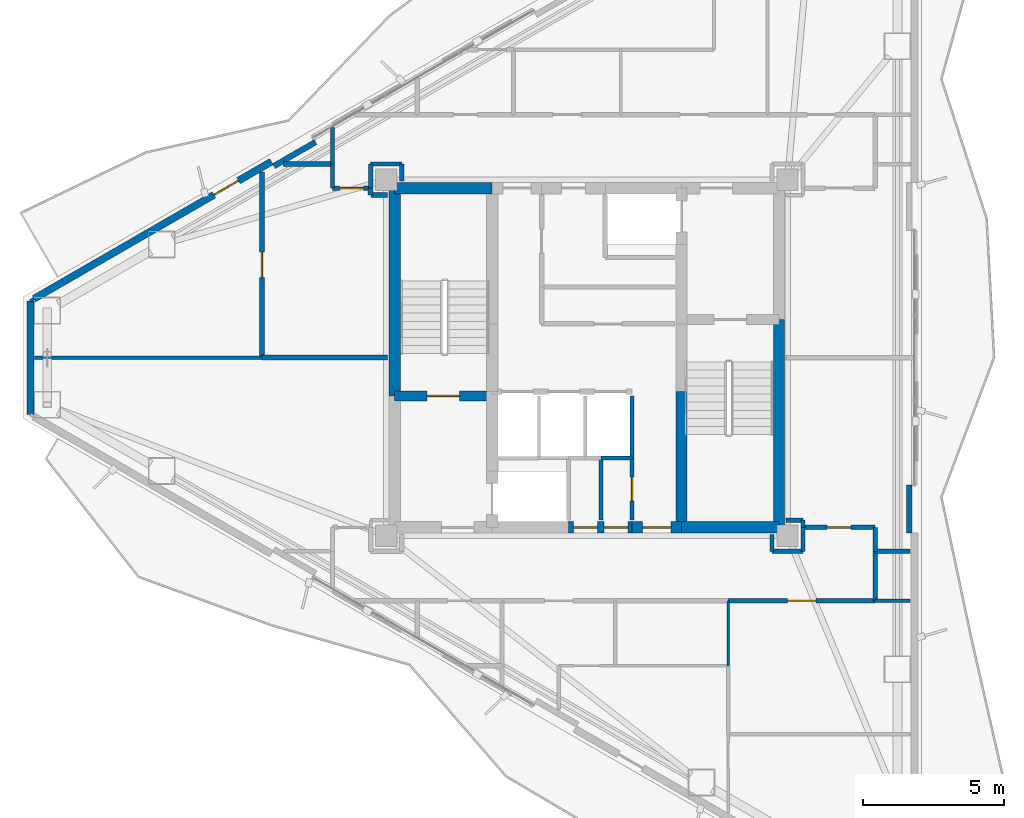
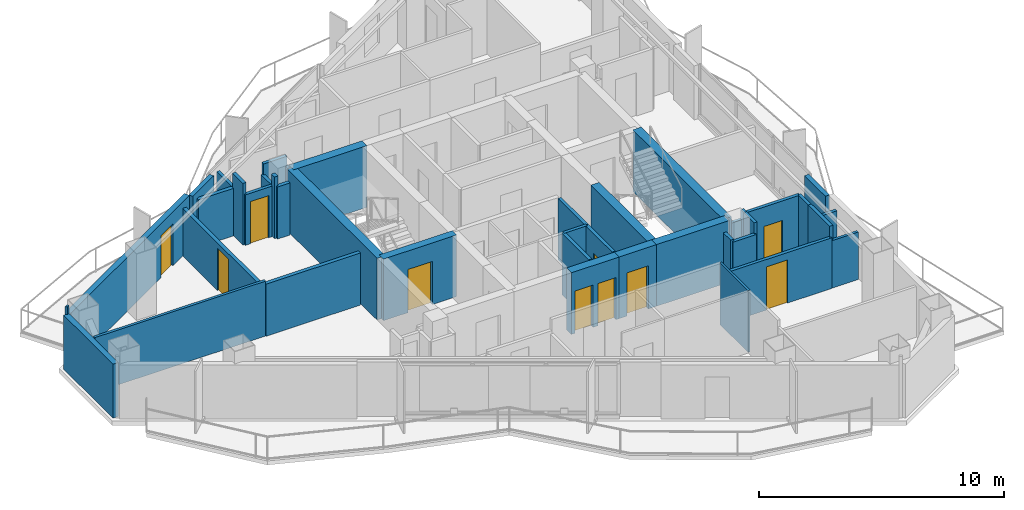
# One storey, part 17 of 21: 41 walls, 10 doors, 10 openings.
"""IFC4 building model written with IfcOpenShell, lengths in metres."""

from ifc_helpers import new_model, si_unit, direction, frame, frame_2d, origin, place, context, subcontext, project, spatial, rectangle, extrude, material, layer, layer_set, type_object, element, fill, save


model = new_model("IFC4")

# Units and contexts
model_context = context("Model", 3, precision=1e-05, world=origin(), true_north=direction((0.0, 1.0)))
body_context = subcontext(model_context, "Body", "Model", "MODEL_VIEW")
ifc_project = project(units=[si_unit("LENGTHUNIT", "METRE"), si_unit("AREAUNIT", "SQUARE_METRE"), si_unit("VOLUMEUNIT", "CUBIC_METRE"), si_unit("PLANEANGLEUNIT", "RADIAN"), si_unit("MASSUNIT", "GRAM", prefix="KILO")], contexts=[model_context])

# Site, building, storey
site_placement = place(None, origin())
site = spatial("IfcSite", under=ifc_project, at=site_placement, CompositionType="ELEMENT")
building_placement = place(site_placement, origin())
building = spatial("IfcBuilding", under=site, at=building_placement, Name="Mersakhor Tower and Convention Hall", CompositionType="ELEMENT")
storey_placement = place(building_placement, frame((0.0, 0.0, 178.800048828125)))
storey = spatial("IfcBuildingStorey", under=building, at=storey_placement, Name="L49", CompositionType="ELEMENT", Elevation=178.800048828125)

# Wall
ifc_material_1 = material(Name="Precast concrete C40/50", Category="concrete")
ifc_layer_1 = layer(ifc_material_1, 0.25)
ifc_layer_set_1 = layer_set([ifc_layer_1], Name="Precast concrete C40/50")
wall_type_1 = type_object("IfcWallType", Name="WL-EXT-250", PredefinedType="SOLIDWALL", material=ifc_layer_set_1)
wall_1_placement = place(storey_placement, frame((9.3076171875, 24.73828125, 0.0), z_axis=(0.0, 0.0, 1.0), x_axis=(0.0, 1.0, 0.0)))
element("IfcWall", 1, at=wall_1_placement, inside=storey, type_object=wall_type_1, Name="L49 Chamfer Braced Spandrel Wall C3", PredefinedType="SOLIDWALL", context=body_context, shape_type="SweptSolid", body=[
    extrude(rectangle(XDim=4.0234375, YDim=0.25, at=frame_2d((2.01171875, 0.0))), origin(), (0.0, 0.0, 1.0), 2.68994140625),
])

# Wall, opening, door
wall_2_placement = place(storey_placement, frame((9.4375, 28.836669921875, 0.0), z_axis=(0.0, 0.0, 1.0), x_axis=(0.866027133173, 0.499997004599, 0.0)))
wall_2 = element("IfcWall", 2, at=wall_2_placement, inside=storey, type_object=wall_type_1, Name="L49 Exterior Facade Wall F1-B1", PredefinedType="SOLIDWALL", context=body_context, shape_type="SweptSolid", body=[
    extrude(rectangle(XDim=9.69873046875, YDim=0.25, at=frame_2d((4.849365234375, 0.0))), origin(), (0.0, 0.0, 1.0), 2.68994140625),
])
opening_1_placement = place(wall_2_placement, frame((7.35205078125, 0.0, 0.0)))
opening_1 = element("IfcOpeningElement", 3, at=opening_1_placement, cuts=wall_2, Name="Opening BD-01", PredefinedType="OPENING", context=body_context, shape_type="SweptSolid", body=[
    extrude(rectangle(XDim=1.0, YDim=2.10009765625, at=frame_2d((0.5, 1.050048828125))), frame((0.0, 0.135009765625, 0.0), z_axis=(0.0, -1.0, 0.0), x_axis=(1.0, 0.0, 0.0)), (0.0, 0.0, 1.0), 0.27001953125),
])
ifc_material_2 = material(Name="Thermally broken dark aluminium and safety glass", Category="aluminium")
door_type_1 = type_object("IfcDoorType", Name="DR-BAL-100x210", OperationType="NOTDEFINED", PredefinedType="DOOR", material=ifc_material_2)
door_1_placement = place(opening_1_placement, origin())
door_1 = element("IfcDoor", 4, at=door_1_placement, inside=storey, type_object=door_type_1, Name="L49 Balcony Terrace Door F1-B1", OperationType="SINGLE_SWING_LEFT", OverallHeight=2.10009765625, OverallWidth=1.0, PredefinedType="DOOR", context=body_context, shape_type="SweptSolid", body=[
    extrude(rectangle(XDim=1.0, YDim=2.10009765625, at=frame_2d((0.5, 1.050048828125))), frame((0.0, 0.02490234375, 0.0), z_axis=(0.0, -1.0, 0.0), x_axis=(1.0, 0.0, 0.0)), (0.0, 0.0, 1.0), 0.050048828125),
])
fill(opening_1, door_1)

# Walls
ifc_material_3 = material(Name="Precast concrete C40/50", Category="concrete")
ifc_layer_2 = layer(ifc_material_3, 0.199951171875)
ifc_layer_set_2 = layer_set([ifc_layer_2], Name="Precast concrete C40/50")
wall_type_2 = type_object("IfcWallType", Name="WL-PAR-200", PredefinedType="PARAPET", material=ifc_layer_set_2)
for number, where, z_axis, x_axis, name in (
    (5, (17.927001953125, 33.5302734375, 0.0), (0.0, 0.0, 1.0), (0.86605165483, 0.499954529098, 0.0), "L49 Column Pier Cladding Wall F1-C1"),
    (6, (40.408447265625, 22.25048828125, 0.0), (0.0, 0.0, 1.0), (0.0, -1.0, 0.0), "L49 Column Pier Cladding Wall F2-C2"),
):
    element("IfcWall", number, at=place(storey_placement, frame(where, z_axis=z_axis, x_axis=x_axis)), inside=storey, type_object=wall_type_2, Name=name, PredefinedType="PARAPET", context=body_context, shape_type="SweptSolid", body=[
        extrude(rectangle(XDim=1.699951171875, YDim=0.199951171875, at=frame_2d((0.85009765625, 0.0))), origin(), (0.0, 0.0, 1.0), 2.68994140625),
    ])
ifc_material_4 = material(Name="Moisture-resistant acoustic drywall studwork", Category="other")
ifc_layer_3 = layer(ifc_material_4, 0.175048828125)
ifc_layer_set_3 = layer_set([ifc_layer_3], Name="Moisture-resistant acoustic drywall studwork")
wall_type_3 = type_object("IfcWallType", Name="WL-PLM-175", PredefinedType="PLUMBINGWALL", material=ifc_layer_set_3)
wall_3_placement = place(storey_placement, frame((21.35009765625, 32.75, 0.0), z_axis=(0.0, 0.0, 1.0), x_axis=(0.0, -1.0, 0.0)))
element("IfcWall", 7, at=wall_3_placement, inside=storey, type_object=wall_type_3, Name="L49 Interior Partition Wall P-050", PredefinedType="PLUMBINGWALL", context=body_context, shape_type="SweptSolid", body=[
    extrude(rectangle(XDim=0.25, YDim=0.175048828125, at=frame_2d((0.125, 0.0))), origin(), (0.0, 0.0, 1.0), 3.070068359375),
])
wall_4_placement = place(storey_placement, frame((21.364990234375, 32.5, 0.0), z_axis=(0.0, 0.0, 1.0), x_axis=(1.0, 0.0, 0.0)))
element("IfcWall", 8, at=wall_4_placement, inside=storey, type_object=wall_type_3, Name="L49 Interior Partition Wall P-051", PredefinedType="PLUMBINGWALL", context=body_context, shape_type="SweptSolid", body=[
    extrude(rectangle(XDim=0.5849609375, YDim=0.175048828125, at=frame_2d((0.29248046875, 0.0))), origin(), (0.0, 0.0, 1.0), 2.594970703125),
])
wall_5_placement = place(storey_placement, frame((21.949951171875, 26.75, 0.0), z_axis=(0.0, 0.0, 1.0), x_axis=(-1.0, 0.0, 0.0)))
element("IfcWall", 9, at=wall_5_placement, inside=storey, type_object=wall_type_3, Name="L49 Interior Partition Wall P-052", PredefinedType="PLUMBINGWALL", context=body_context, shape_type="SweptSolid", body=[
    extrude(rectangle(XDim=4.449951171875, YDim=0.175048828125, at=frame_2d((2.22509765625, 0.0))), origin(), (0.0, 0.0, 1.0), 2.594970703125),
])

# Wall, opening, door
wall_6_placement = place(storey_placement, frame((17.5, 26.75, 0.0), z_axis=(0.0, 0.0, 1.0), x_axis=(0.0, 1.0, 0.0)))
wall_6 = element("IfcWall", 10, at=wall_6_placement, inside=storey, type_object=wall_type_3, Name="L49 Interior Partition Wall P-053", PredefinedType="PLUMBINGWALL", context=body_context, shape_type="SweptSolid", body=[
    extrude(rectangle(XDim=6.569580078125, YDim=0.175048828125, at=frame_2d((3.28466796875, 0.0))), origin(), (0.0, 0.0, 1.0), 2.364990234375),
])
opening_2_placement = place(wall_6_placement, frame((2.834716796875, 0.0, 0.0)))
opening_2 = element("IfcOpeningElement", 11, at=opening_2_placement, cuts=wall_6, Name="Opening WD-01", PredefinedType="OPENING", context=body_context, shape_type="SweptSolid", body=[
    extrude(rectangle(XDim=0.89990234375, YDim=2.10009765625, at=frame_2d((0.449951171875, 1.050048828125))), frame((0.0, 0.097412109375, 0.0), z_axis=(0.0, -1.0, 0.0), x_axis=(1.0, 0.0, 0.0)), (0.0, 0.0, 1.0), 0.195068359375),
])
ifc_material_5 = material(Name="Solid-core hardwood leaf in painted steel frame", Category="steel")
door_type_2 = type_object("IfcDoorType", Name="DR-INT-WET-090x210", OperationType="NOTDEFINED", PredefinedType="DOOR", material=ifc_material_5)
door_2_placement = place(opening_2_placement, origin())
door_2 = element("IfcDoor", 12, at=door_2_placement, inside=storey, type_object=door_type_2, Name="L49 L49 West Wing Public Restroom WC to L49 West Wing Residents Conference Room 1 Door", OperationType="SINGLE_SWING_LEFT", OverallHeight=2.10009765625, OverallWidth=0.89990234375, PredefinedType="DOOR", context=body_context, shape_type="SweptSolid", body=[
    extrude(rectangle(XDim=0.89990234375, YDim=2.10009765625, at=frame_2d((0.449951171875, 1.050048828125))), frame((0.0, 0.02490234375, 0.0), z_axis=(0.0, -1.0, 0.0), x_axis=(1.0, 0.0, 0.0)), (0.0, 0.0, 1.0), 0.050048828125),
])
fill(opening_2, door_2)

# Walls
wall_7_placement = place(storey_placement, frame((18.273193359375, 33.60009765625, 0.0), z_axis=(0.0, 0.0, 1.0), x_axis=(1.0, 0.0, 0.0)))
element("IfcWall", 13, at=wall_7_placement, inside=storey, type_object=wall_type_3, Name="L49 Interior Partition Wall P-054", PredefinedType="PLUMBINGWALL", context=body_context, shape_type="SweptSolid", body=[
    extrude(rectangle(XDim=1.726806640625, YDim=0.175048828125, at=frame_2d((0.86328125, 0.0))), origin(), (0.0, 0.0, 1.0), 2.364990234375),
])
ifc_material_6 = material(Name="Lightweight gypsum partition", Category="other")
ifc_layer_4 = layer(ifc_material_6, 0.10009765625)
ifc_layer_set_4 = layer_set([ifc_layer_4], Name="Lightweight gypsum partition")
wall_type_4 = type_object("IfcWallType", Name="WL-PRT-100", PredefinedType="PARTITIONING", material=ifc_layer_set_4)
wall_8_placement = place(storey_placement, frame((9.306884765625, 28.761962890625, 0.0), z_axis=(0.0, 0.0, 1.0), x_axis=(0.865833797362, 0.500331725305, 0.0)))
element("IfcWall", 14, at=wall_8_placement, inside=storey, type_object=wall_type_4, Name="L49 Interior Partition Wall P-058", PredefinedType="PARTITIONING", context=body_context, shape_type="SweptSolid", body=[
    extrude(rectangle(XDim=0.150390625, YDim=0.10009765625, at=frame_2d((0.0751953125, 0.0))), origin(), (0.0, 0.0, 1.0), 3.070068359375),
])
wall_9_placement = place(storey_placement, frame((34.0, 15.85009765625, 0.0), z_axis=(0.0, 0.0, 1.0), x_axis=(0.0, 1.0, 0.0)))
element("IfcWall", 15, at=wall_9_placement, inside=storey, type_object=wall_type_4, Name="L49 Interior Partition Wall P-094", PredefinedType="PARTITIONING", context=body_context, shape_type="SweptSolid", body=[
    extrude(rectangle(XDim=2.2998046875, YDim=0.10009765625, at=frame_2d((1.14990234375, 0.0))), origin(), (0.0, 0.0, 1.0), 3.070068359375),
])
ifc_material_7 = material(Name="Gypsum board acoustic partition", Category="other")
ifc_layer_5 = layer(ifc_material_7, 0.125)
ifc_layer_set_5 = layer_set([ifc_layer_5], Name="Gypsum board acoustic partition")
wall_type_5 = type_object("IfcWallType", Name="WL-PRT-125", PredefinedType="PARTITIONING", material=ifc_layer_set_5)
wall_10_placement = place(storey_placement, frame((17.5, 26.75, 0.0), z_axis=(0.0, 0.0, 1.0), x_axis=(-1.0, 0.0, 0.0)))
element("IfcWall", 16, at=wall_10_placement, inside=storey, type_object=wall_type_5, Name="L49 Interior Partition Wall P-057", PredefinedType="PARTITIONING", context=body_context, shape_type="SweptSolid", body=[
    extrude(rectangle(XDim=8.04345703125, YDim=0.125, at=frame_2d((4.021728515625, 0.0))), origin(), (0.0, 0.0, 1.0), 2.734375),
])
wall_11_placement = place(storey_placement, frame((39.199951171875, 18.14990234375, 0.0), z_axis=(0.0, 0.0, 1.0), x_axis=(1.0, 0.0, 0.0)))
element("IfcWall", 17, at=wall_11_placement, inside=storey, type_object=wall_type_5, Name="L49 Interior Partition Wall P-093", PredefinedType="PARTITIONING", context=body_context, shape_type="SweptSolid", body=[
    extrude(rectangle(XDim=1.239501953125, YDim=0.125, at=frame_2d((0.61962890625, 0.0))), origin(), (0.0, 0.0, 1.0), 2.364990234375),
])
ifc_material_8 = material(Name="Fire-rated gypsum board stud partition", Category="other")
ifc_layer_6 = layer(ifc_material_8, 0.14990234375)
ifc_layer_set_6 = layer_set([ifc_layer_6], Name="Fire-rated gypsum board stud partition")
wall_type_6 = type_object("IfcWallType", Name="WL-PRT-150", PredefinedType="PARTITIONING", material=ifc_layer_set_6)
wall_12_placement = place(storey_placement, frame((30.60009765625, 25.39990234375, 0.0), z_axis=(0.0, 0.0, 1.0), x_axis=(0.0, -1.0, 0.0)))
element("IfcWall", 18, at=wall_12_placement, inside=storey, type_object=wall_type_6, Name="L49 Interior Partition Wall P-009", PredefinedType="PARTITIONING", context=body_context, shape_type="SweptSolid", body=[
    extrude(rectangle(XDim=2.199951171875, YDim=0.14990234375, at=frame_2d((1.10009765625, 0.0))), origin(), (0.0, 0.0, 1.0), 3.070068359375),
])
wall_13_placement = place(storey_placement, frame((30.60009765625, 23.199951171875, 0.0), z_axis=(0.0, 0.0, 1.0), x_axis=(-1.0, 0.0, 0.0)))
element("IfcWall", 19, at=wall_13_placement, inside=storey, type_object=wall_type_6, Name="L49 Interior Partition Wall P-010", PredefinedType="PARTITIONING", context=body_context, shape_type="SweptSolid", body=[
    extrude(rectangle(XDim=1.10009765625, YDim=0.14990234375, at=frame_2d((0.550048828125, 0.0))), origin(), (0.0, 0.0, 1.0), 3.070068359375),
])

# Wall, opening, door
wall_14_placement = place(storey_placement, frame((30.60009765625, 21.0, 0.0), z_axis=(0.0, 0.0, 1.0), x_axis=(0.0, 1.0, 0.0)))
wall_14 = element("IfcWall", 20, at=wall_14_placement, inside=storey, type_object=wall_type_6, Name="L49 Interior Partition Wall P-012", PredefinedType="PARTITIONING", context=body_context, shape_type="SweptSolid", body=[
    extrude(rectangle(XDim=2.199951171875, YDim=0.14990234375, at=frame_2d((1.10009765625, 0.0))), origin(), (0.0, 0.0, 1.0), 3.070068359375),
])
opening_3_placement = place(wall_14_placement, frame((0.675048828125, 0.0, 0.0)))
opening_3 = element("IfcOpeningElement", 21, at=opening_3_placement, cuts=wall_14, Name="Opening SVD-01", PredefinedType="OPENING", context=body_context, shape_type="SweptSolid", body=[
    extrude(rectangle(XDim=0.85009765625, YDim=2.10009765625, at=frame_2d((0.425048828125, 1.050048828125))), frame((0.0, 0.0849609375, 0.0), z_axis=(0.0, -1.0, 0.0), x_axis=(1.0, 0.0, 0.0)), (0.0, 0.0, 1.0), 0.169921875),
])
ifc_material_9 = material(Name="Fire-rated hardwood leaf and painted steel frame", Category="steel")
door_type_3 = type_object("IfcDoorType", Name="DR-INT-SVC-085x210", OperationType="NOTDEFINED", PredefinedType="DOOR", material=ifc_material_9)
door_3_placement = place(opening_3_placement, origin())
door_3 = element("IfcDoor", 22, at=door_3_placement, inside=storey, type_object=door_type_3, Name="L49 Central Passenger Lift Lobby to Cleaner Store Room Door", OperationType="SINGLE_SWING_RIGHT", OverallHeight=2.10009765625, OverallWidth=0.85009765625, PredefinedType="DOOR", context=body_context, shape_type="SweptSolid", body=[
    extrude(rectangle(XDim=0.85009765625, YDim=2.10009765625, at=frame_2d((0.425048828125, 1.050048828125))), frame((0.0, 0.02490234375, 0.0), z_axis=(0.0, -1.0, 0.0), x_axis=(1.0, 0.0, 0.0)), (0.0, 0.0, 1.0), 0.050048828125),
])
fill(opening_3, door_3)

# Walls
wall_15_placement = place(storey_placement, frame((22.449951171875, 33.0, 0.0), z_axis=(0.0, 0.0, 1.0), x_axis=(0.0, 1.0, 0.0)))
element("IfcWall", 23, at=wall_15_placement, inside=storey, type_object=wall_type_6, Name="L49 Interior Partition Wall P-022", PredefinedType="PARTITIONING", context=body_context, shape_type="SweptSolid", body=[
    extrude(rectangle(XDim=0.60009765625, YDim=0.14990234375, at=frame_2d((0.300048828125, 0.0))), origin(), (0.0, 0.0, 1.0), 2.594970703125),
])
wall_16_placement = place(storey_placement, frame((22.449951171875, 33.60009765625, 0.0), z_axis=(0.0, 0.0, 1.0), x_axis=(-1.0, 0.0, 0.0)))
element("IfcWall", 24, at=wall_16_placement, inside=storey, type_object=wall_type_6, Name="L49 Interior Partition Wall P-023", PredefinedType="PARTITIONING", context=body_context, shape_type="SweptSolid", body=[
    extrude(rectangle(XDim=1.099853515625, YDim=0.14990234375, at=frame_2d((0.5498046875, 0.0))), origin(), (0.0, 0.0, 1.0), 3.070068359375),
])
wall_17_placement = place(storey_placement, frame((21.35009765625, 33.60009765625, 0.0), z_axis=(0.0, 0.0, 1.0), x_axis=(0.0, -1.0, 0.0)))
element("IfcWall", 25, at=wall_17_placement, inside=storey, type_object=wall_type_6, Name="L49 Interior Partition Wall P-024", PredefinedType="PARTITIONING", context=body_context, shape_type="SweptSolid", body=[
    extrude(rectangle(XDim=0.85009765625, YDim=0.14990234375, at=frame_2d((0.425048828125, 0.0))), origin(), (0.0, 0.0, 1.0), 2.518310546875),
])

# Wall, opening, door
wall_18_placement = place(storey_placement, frame((21.35009765625, 32.75, 0.0), z_axis=(0.0, 0.0, 1.0), x_axis=(-1.0, 0.0, 0.0)))
wall_18 = element("IfcWall", 26, at=wall_18_placement, inside=storey, type_object=wall_type_6, Name="L49 Interior Partition Wall P-025", PredefinedType="PARTITIONING", context=body_context, shape_type="SweptSolid", body=[
    extrude(rectangle(XDim=1.35009765625, YDim=0.14990234375, at=frame_2d((0.675048828125, 0.0))), origin(), (0.0, 0.0, 1.0), 2.518310546875),
])
opening_4_placement = place(wall_18_placement, frame((0.25, 0.0, 0.0)))
opening_4 = element("IfcOpeningElement", 27, at=opening_4_placement, cuts=wall_18, Name="Opening SVD-01", PredefinedType="OPENING", context=body_context, shape_type="SweptSolid", body=[
    extrude(rectangle(XDim=0.85009765625, YDim=2.10009765625, at=frame_2d((0.425048828125, 1.050048828125))), frame((0.0, 0.0849609375, 0.0), z_axis=(0.0, -1.0, 0.0), x_axis=(1.0, 0.0, 0.0)), (0.0, 0.0, 1.0), 0.169921875),
])
door_4_placement = place(opening_4_placement, origin())
door_4 = element("IfcDoor", 28, at=door_4_placement, inside=storey, type_object=door_type_3, Name="L49 Residential North Gallery Corridor to L49 West Wing Public Restroom WC Door", OperationType="SINGLE_SWING_LEFT", OverallHeight=2.10009765625, OverallWidth=0.85009765625, PredefinedType="DOOR", context=body_context, shape_type="SweptSolid", body=[
    extrude(rectangle(XDim=0.85009765625, YDim=2.10009765625, at=frame_2d((0.425048828125, 1.050048828125))), frame((0.0, 0.02490234375, 0.0), z_axis=(0.0, -1.0, 0.0), x_axis=(1.0, 0.0, 0.0)), (0.0, 0.0, 1.0), 0.050048828125),
])
fill(opening_4, door_4)

# Walls
wall_19_placement = place(storey_placement, frame((20.0, 32.75, 0.0), z_axis=(0.0, 0.0, 1.0), x_axis=(0.0, 1.0, 0.0)))
element("IfcWall", 29, at=wall_19_placement, inside=storey, type_object=wall_type_6, Name="L49 Interior Partition Wall P-026", PredefinedType="PARTITIONING", context=body_context, shape_type="SweptSolid", body=[
    extrude(rectangle(XDim=0.85009765625, YDim=0.14990234375, at=frame_2d((0.425048828125, 0.0))), origin(), (0.0, 0.0, 1.0), 3.070068359375),
])
wall_20_placement = place(storey_placement, frame((20.0, 33.60009765625, 0.0), z_axis=(0.0, 0.0, 1.0), x_axis=(0.0, 1.0, 0.0)))
element("IfcWall", 30, at=wall_20_placement, inside=storey, type_object=wall_type_6, Name="L49 Interior Partition Wall P-027", PredefinedType="PARTITIONING", context=body_context, shape_type="SweptSolid", body=[
    extrude(rectangle(XDim=1.291015625, YDim=0.14990234375, at=frame_2d((0.6455078125, 0.0))), origin(), (0.0, 0.0, 1.0), 2.364990234375),
])
wall_21_placement = place(storey_placement, frame((35.550048828125, 20.5, 0.0), z_axis=(0.0, 0.0, 1.0), x_axis=(0.0, -1.0, 0.0)))
element("IfcWall", 31, at=wall_21_placement, inside=storey, type_object=wall_type_6, Name="L49 Interior Partition Wall P-037", PredefinedType="PARTITIONING", context=body_context, shape_type="SweptSolid", body=[
    extrude(rectangle(XDim=0.60009765625, YDim=0.14990234375, at=frame_2d((0.300048828125, 0.0))), origin(), (0.0, 0.0, 1.0), 2.594970703125),
])
wall_22_placement = place(storey_placement, frame((35.550048828125, 19.89990234375, 0.0), z_axis=(0.0, 0.0, 1.0), x_axis=(1.0, 0.0, 0.0)))
element("IfcWall", 32, at=wall_22_placement, inside=storey, type_object=wall_type_6, Name="L49 Interior Partition Wall P-038", PredefinedType="PARTITIONING", context=body_context, shape_type="SweptSolid", body=[
    extrude(rectangle(XDim=1.099853515625, YDim=0.14990234375, at=frame_2d((0.5498046875, 0.0))), origin(), (0.0, 0.0, 1.0), 2.518310546875),
])
wall_23_placement = place(storey_placement, frame((36.64990234375, 19.89990234375, 0.0), z_axis=(0.0, 0.0, 1.0), x_axis=(0.0, 1.0, 0.0)))
element("IfcWall", 33, at=wall_23_placement, inside=storey, type_object=wall_type_6, Name="L49 Interior Partition Wall P-039", PredefinedType="PARTITIONING", context=body_context, shape_type="SweptSolid", body=[
    extrude(rectangle(XDim=0.85009765625, YDim=0.14990234375, at=frame_2d((0.425048828125, 0.0))), origin(), (0.0, 0.0, 1.0), 3.070068359375),
])

# Wall, opening, door
wall_24_placement = place(storey_placement, frame((36.64990234375, 20.75, 0.0), z_axis=(0.0, 0.0, 1.0), x_axis=(1.0, 0.0, 0.0)))
wall_24 = element("IfcWall", 34, at=wall_24_placement, inside=storey, type_object=wall_type_6, Name="L49 Interior Partition Wall P-040", PredefinedType="PARTITIONING", context=body_context, shape_type="SweptSolid", body=[
    extrude(rectangle(XDim=2.550048828125, YDim=0.14990234375, at=frame_2d((1.27490234375, 0.0))), origin(), (0.0, 0.0, 1.0), 3.070068359375),
])
opening_5_placement = place(wall_24_placement, frame((0.85009765625, 0.0, 0.0)))
opening_5 = element("IfcOpeningElement", 35, at=opening_5_placement, cuts=wall_24, Name="Opening SVD-01", PredefinedType="OPENING", context=body_context, shape_type="SweptSolid", body=[
    extrude(rectangle(XDim=0.85009765625, YDim=2.10009765625, at=frame_2d((0.425048828125, 1.050048828125))), frame((0.0, 0.0849609375, 0.0), z_axis=(0.0, -1.0, 0.0), x_axis=(1.0, 0.0, 0.0)), (0.0, 0.0, 1.0), 0.169921875),
])
door_5_placement = place(opening_5_placement, origin())
door_5 = element("IfcDoor", 36, at=door_5_placement, inside=storey, type_object=door_type_3, Name="L49 Residential South Gallery Corridor to L49 East Wing Household Store Door", OperationType="SINGLE_SWING_LEFT", OverallHeight=2.10009765625, OverallWidth=0.85009765625, PredefinedType="DOOR", context=body_context, shape_type="SweptSolid", body=[
    extrude(rectangle(XDim=0.85009765625, YDim=2.10009765625, at=frame_2d((0.425048828125, 1.050048828125))), frame((0.0, 0.02490234375, 0.0), z_axis=(0.0, -1.0, 0.0), x_axis=(1.0, 0.0, 0.0)), (0.0, 0.0, 1.0), 0.050048828125),
])
fill(opening_5, door_5)

# Walls
wall_25_placement = place(storey_placement, frame((39.199951171875, 20.75, 0.0), z_axis=(0.0, 0.0, 1.0), x_axis=(0.0, -1.0, 0.0)))
element("IfcWall", 37, at=wall_25_placement, inside=storey, type_object=wall_type_6, Name="L49 Interior Partition Wall P-041", PredefinedType="PARTITIONING", context=body_context, shape_type="SweptSolid", body=[
    extrude(rectangle(XDim=0.85009765625, YDim=0.14990234375, at=frame_2d((0.425048828125, 0.0))), origin(), (0.0, 0.0, 1.0), 3.070068359375),
])
wall_26_placement = place(storey_placement, frame((39.199951171875, 19.89990234375, 0.0), z_axis=(0.0, 0.0, 1.0), x_axis=(0.0, -1.0, 0.0)))
element("IfcWall", 38, at=wall_26_placement, inside=storey, type_object=wall_type_6, Name="L49 Interior Partition Wall P-042", PredefinedType="PARTITIONING", context=body_context, shape_type="SweptSolid", body=[
    extrude(rectangle(XDim=1.75, YDim=0.14990234375, at=frame_2d((0.875, 0.0))), origin(), (0.0, 0.0, 1.0), 3.070068359375),
])

# Wall, opening, door
wall_27_placement = place(storey_placement, frame((39.199951171875, 18.14990234375, 0.0), z_axis=(0.0, 0.0, 1.0), x_axis=(-1.0, 0.0, 0.0)))
wall_27 = element("IfcWall", 39, at=wall_27_placement, inside=storey, type_object=wall_type_6, Name="L49 Interior Partition Wall P-043", PredefinedType="PARTITIONING", context=body_context, shape_type="SweptSolid", body=[
    extrude(rectangle(XDim=5.199951171875, YDim=0.14990234375, at=frame_2d((2.60009765625, 0.0))), origin(), (0.0, 0.0, 1.0), 2.518310546875),
])
opening_6_placement = place(wall_27_placement, frame((2.10009765625, 0.0, 0.0)))
opening_6 = element("IfcOpeningElement", 40, at=opening_6_placement, cuts=wall_27, Name="Opening FD-01", PredefinedType="OPENING", context=body_context, shape_type="SweptSolid", body=[
    extrude(rectangle(XDim=1.0, YDim=2.14990234375, at=frame_2d((0.5, 1.074951171875))), frame((0.0, 0.0849609375, 0.0), z_axis=(0.0, -1.0, 0.0), x_axis=(1.0, 0.0, 0.0)), (0.0, 0.0, 1.0), 0.169921875),
])
ifc_material_10 = material(Name="Fire-rated hardwood leaf and painted steel frame", Category="steel")
door_type_4 = type_object("IfcDoorType", Name="DR-INT-FLT-100x215", OperationType="NOTDEFINED", PredefinedType="DOOR", material=ifc_material_10)
door_6_placement = place(opening_6_placement, origin())
door_6 = element("IfcDoor", 41, at=door_6_placement, inside=storey, type_object=door_type_4, Name="L49 Residential South Gallery Corridor to L49 Floor Residents Study Room 2-5 Door", OperationType="SINGLE_SWING_RIGHT", OverallHeight=2.14990234375, OverallWidth=1.0, PredefinedType="DOOR", context=body_context, shape_type="SweptSolid", body=[
    extrude(rectangle(XDim=1.0, YDim=2.14990234375, at=frame_2d((0.5, 1.074951171875))), frame((0.0, 0.02490234375, 0.0), z_axis=(0.0, -1.0, 0.0), x_axis=(1.0, 0.0, 0.0)), (0.0, 0.0, 1.0), 0.050048828125),
])
fill(opening_6, door_6)

# Walls
wall_28_placement = place(storey_placement, frame((29.5, 23.199951171875, 0.0), z_axis=(0.0, 0.0, 1.0), x_axis=(0.0, -1.0, 0.0)))
element("IfcWall", 42, at=wall_28_placement, inside=storey, type_object=wall_type_6, Name="L49 Interior Partition Wall P-056", PredefinedType="PARTITIONING", context=body_context, shape_type="SweptSolid", body=[
    extrude(rectangle(XDim=2.199951171875, YDim=0.14990234375, at=frame_2d((1.10009765625, 0.0))), origin(), (0.0, 0.0, 1.0), 3.070068359375),
])
wall_29_placement = place(storey_placement, frame((36.64990234375, 20.75, 0.0), z_axis=(0.0, 0.0, 1.0), x_axis=(0.0, 1.0, 0.0)))
element("IfcWall", 43, at=wall_29_placement, inside=storey, type_object=wall_type_6, Name="L49 Interior Partition Wall P-067", PredefinedType="PARTITIONING", context=body_context, shape_type="SweptSolid", body=[
    extrude(rectangle(XDim=0.25, YDim=0.14990234375, at=frame_2d((0.125, 0.0))), origin(), (0.0, 0.0, 1.0), 3.070068359375),
])
wall_30_placement = place(storey_placement, frame((36.64990234375, 21.0, 0.0), z_axis=(0.0, 0.0, 1.0), x_axis=(-1.0, 0.0, 0.0)))
element("IfcWall", 44, at=wall_30_placement, inside=storey, type_object=wall_type_6, Name="L49 Interior Partition Wall P-068", PredefinedType="PARTITIONING", context=body_context, shape_type="SweptSolid", body=[
    extrude(rectangle(XDim=0.599853515625, YDim=0.14990234375, at=frame_2d((0.2998046875, 0.0))), origin(), (0.0, 0.0, 1.0), 2.594970703125),
])
wall_31_placement = place(storey_placement, frame((40.439453125, 19.89990234375, 0.0), z_axis=(0.0, 0.0, 1.0), x_axis=(-1.0, 0.0, 0.0)))
element("IfcWall", 45, at=wall_31_placement, inside=storey, type_object=wall_type_6, Name="L49 Interior Partition Wall P-069", PredefinedType="PARTITIONING", context=body_context, shape_type="SweptSolid", body=[
    extrude(rectangle(XDim=1.239501953125, YDim=0.14990234375, at=frame_2d((0.61962890625, 0.0))), origin(), (0.0, 0.0, 1.0), 2.364990234375),
])

# Wall, opening, door
ifc_material_11 = material(Name="Concrete C50/60", Category="concrete")
ifc_layer_7 = layer(ifc_material_11, 0.35009765625)
ifc_layer_set_7 = layer_set([ifc_layer_7], Name="Concrete C50/60")
wall_type_7 = type_object("IfcWallType", Name="WL-SHR-350", PredefinedType="SHEAR", material=ifc_layer_set_7)
wall_32_placement = place(storey_placement, frame((22.199951171875, 25.39990234375, 0.0), z_axis=(0.0, 0.0, 1.0), x_axis=(1.0, 0.0, 0.0)))
wall_32 = element("IfcWall", 46, at=wall_32_placement, inside=storey, type_object=wall_type_7, Name="L49 Core Wall CS-ST1-S", PredefinedType="SHEAR", context=body_context, shape_type="SweptSolid", body=[
    extrude(rectangle(XDim=3.449951171875, YDim=0.35009765625, at=frame_2d((1.72509765625, 0.0))), origin(), (0.0, 0.0, 1.0), 3.070068359375),
])
opening_7_placement = place(wall_32_placement, frame((1.14990234375, 0.0, 0.0)))
opening_7 = element("IfcOpeningElement", 47, at=opening_7_placement, cuts=wall_32, Name="Opening SD-01", PredefinedType="OPENING", context=body_context, shape_type="SweptSolid", body=[
    extrude(rectangle(XDim=1.14990234375, YDim=2.14990234375, at=frame_2d((0.574951171875, 1.074951171875))), frame((0.0, 0.18505859375, 0.0), z_axis=(0.0, -1.0, 0.0), x_axis=(1.0, 0.0, 0.0)), (0.0, 0.0, 1.0), 0.3701171875),
])
ifc_material_12 = material(Name="Fire-rated hardwood leaf and painted steel frame", Category="steel")
door_type_5 = type_object("IfcDoorType", Name="DR-INT-STAIR-115x215", OperationType="NOTDEFINED", PredefinedType="DOOR", material=ifc_material_12)
door_7_placement = place(opening_7_placement, origin())
door_7 = element("IfcDoor", 48, at=door_7_placement, inside=storey, type_object=door_type_5, Name="L49 Exit Stair ST-1 Enclosure Door", OperationType="SINGLE_SWING_LEFT", OverallHeight=2.14990234375, OverallWidth=1.14990234375, PredefinedType="DOOR", context=body_context, shape_type="SweptSolid", body=[
    extrude(rectangle(XDim=1.14990234375, YDim=2.14990234375, at=frame_2d((0.574951171875, 1.074951171875))), frame((0.0, 0.02490234375, 0.0), z_axis=(0.0, -1.0, 0.0), x_axis=(1.0, 0.0, 0.0)), (0.0, 0.0, 1.0), 0.050048828125),
])
fill(opening_7, door_7)

# Walls
ifc_material_13 = material(Name="Concrete C60/75", Category="concrete")
ifc_layer_8 = layer(ifc_material_13, 0.39990234375)
ifc_layer_set_8 = layer_set([ifc_layer_8], Name="Concrete C60/75")
wall_type_8 = type_object("IfcWallType", Name="WL-SHR-400", PredefinedType="SHEAR", material=ifc_layer_set_8)
wall_33_placement = place(storey_placement, frame((22.199951171875, 25.39990234375, 0.0), z_axis=(0.0, 0.0, 1.0), x_axis=(0.0, 1.0, 0.0)))
element("IfcWall", 49, at=wall_33_placement, inside=storey, type_object=wall_type_8, Name="L49 Core Wall CW-W2", PredefinedType="SHEAR", context=body_context, shape_type="SweptSolid", body=[
    extrude(rectangle(XDim=7.35009765625, YDim=0.39990234375, at=frame_2d((3.675048828125, 0.0))), origin(), (0.0, 0.0, 1.0), 3.070068359375),
])
wall_34_placement = place(storey_placement, frame((22.199951171875, 32.75, 0.0), z_axis=(0.0, 0.0, 1.0), x_axis=(1.0, 0.0, 0.0)))
element("IfcWall", 50, at=wall_34_placement, inside=storey, type_object=wall_type_8, Name="L49 Core Wall CW-N1", PredefinedType="SHEAR", context=body_context, shape_type="SweptSolid", body=[
    extrude(rectangle(XDim=3.449951171875, YDim=0.39990234375, at=frame_2d((1.72509765625, 0.0))), origin(), (0.0, 0.0, 1.0), 3.070068359375),
])
wall_35_placement = place(storey_placement, frame((35.800048828125, 28.10009765625, 0.0), z_axis=(0.0, 0.0, 1.0), x_axis=(0.0, -1.0, 0.0)))
element("IfcWall", 51, at=wall_35_placement, inside=storey, type_object=wall_type_8, Name="L49 Core Wall CW-E2", PredefinedType="SHEAR", context=body_context, shape_type="SweptSolid", body=[
    extrude(rectangle(XDim=7.35009765625, YDim=0.39990234375, at=frame_2d((3.675048828125, 0.0))), origin(), (0.0, 0.0, 1.0), 3.070068359375),
])
wall_36_placement = place(storey_placement, frame((35.800048828125, 20.75, 0.0), z_axis=(0.0, 0.0, 1.0), x_axis=(-1.0, 0.0, 0.0)))
element("IfcWall", 52, at=wall_36_placement, inside=storey, type_object=wall_type_8, Name="L49 Core Wall CW-S1", PredefinedType="SHEAR", context=body_context, shape_type="SweptSolid", body=[
    extrude(rectangle(XDim=3.449951171875, YDim=0.39990234375, at=frame_2d((1.72509765625, 0.0))), origin(), (0.0, 0.0, 1.0), 3.070068359375),
])

# Wall, opening, door
wall_37_placement = place(storey_placement, frame((32.35009765625, 20.75, 0.0), z_axis=(0.0, 0.0, 1.0), x_axis=(-1.0, 0.0, 0.0)))
wall_37 = element("IfcWall", 53, at=wall_37_placement, inside=storey, type_object=wall_type_8, Name="L49 Core Wall CW-S2A", PredefinedType="SHEAR", context=body_context, shape_type="SweptSolid", body=[
    extrude(rectangle(XDim=1.75, YDim=0.39990234375, at=frame_2d((0.875, 0.0))), origin(), (0.0, 0.0, 1.0), 3.070068359375),
])
opening_8_placement = place(wall_37_placement, frame((0.375, 0.0, 0.0)))
opening_8 = element("IfcOpeningElement", 54, at=opening_8_placement, cuts=wall_37, Name="Opening CFD-01", PredefinedType="OPENING", context=body_context, shape_type="SweptSolid", body=[
    extrude(rectangle(XDim=1.0, YDim=2.14990234375, at=frame_2d((0.5, 1.074951171875))), frame((0.0, 0.2099609375, 0.0), z_axis=(0.0, -1.0, 0.0), x_axis=(1.0, 0.0, 0.0)), (0.0, 0.0, 1.0), 0.419921875),
])
ifc_material_14 = material(Name="Fire-rated hardwood leaf and painted steel frame", Category="steel")
door_type_6 = type_object("IfcDoorType", Name="DR-CORE-FD-100x215", OperationType="NOTDEFINED", PredefinedType="DOOR", material=ifc_material_14)
door_8_placement = place(opening_8_placement, origin())
door_8 = element("IfcDoor", 55, at=door_8_placement, inside=storey, type_object=door_type_6, Name="L49 Lift Lobby South Corridor Door", OperationType="SINGLE_SWING_RIGHT", OverallHeight=2.14990234375, OverallWidth=1.0, PredefinedType="DOOR", context=body_context, shape_type="SweptSolid", body=[
    extrude(rectangle(XDim=1.0, YDim=2.14990234375, at=frame_2d((0.5, 1.074951171875))), frame((0.0, 0.02490234375, 0.0), z_axis=(0.0, -1.0, 0.0), x_axis=(1.0, 0.0, 0.0)), (0.0, 0.0, 1.0), 0.050048828125),
])
fill(opening_8, door_8)

# Wall, openings, doors
wall_38_placement = place(storey_placement, frame((30.60009765625, 20.75, 0.0), z_axis=(0.0, 0.0, 1.0), x_axis=(-1.0, 0.0, 0.0)))
wall_38 = element("IfcWall", 56, at=wall_38_placement, inside=storey, type_object=wall_type_8, Name="L49 Core Wall CW-S2B", PredefinedType="SHEAR", context=body_context, shape_type="SweptSolid", body=[
    extrude(rectangle(XDim=2.25, YDim=0.39990234375, at=frame_2d((1.125, 0.0))), origin(), (0.0, 0.0, 1.0), 3.070068359375),
])
opening_9_placement = place(wall_38_placement, frame((1.22998046875, 0.0, 0.0)))
opening_9 = element("IfcOpeningElement", 57, at=opening_9_placement, cuts=wall_38, Name="Opening SVD-01", PredefinedType="OPENING", context=body_context, shape_type="SweptSolid", body=[
    extrude(rectangle(XDim=0.85009765625, YDim=2.10009765625, at=frame_2d((0.425048828125, 1.050048828125))), frame((0.0, 0.2099609375, 0.0), z_axis=(0.0, -1.0, 0.0), x_axis=(1.0, 0.0, 0.0)), (0.0, 0.0, 1.0), 0.419921875),
])
opening_10_placement = place(wall_38_placement, frame((0.14501953125, 0.0, 0.0)))
opening_10 = element("IfcOpeningElement", 58, at=opening_10_placement, cuts=wall_38, Name="Opening SVD-01", PredefinedType="OPENING", context=body_context, shape_type="SweptSolid", body=[
    extrude(rectangle(XDim=0.85009765625, YDim=2.10009765625, at=frame_2d((0.425048828125, 1.050048828125))), frame((0.0, 0.2099609375, 0.0), z_axis=(0.0, -1.0, 0.0), x_axis=(1.0, 0.0, 0.0)), (0.0, 0.0, 1.0), 0.419921875),
])
door_9_placement = place(opening_9_placement, origin())
door_9 = element("IfcDoor", 59, at=door_9_placement, inside=storey, type_object=door_type_3, Name="L49 Residential South Gallery Corridor to Mechanical Valve Plant Room Door", OperationType="SINGLE_SWING_RIGHT", OverallHeight=2.10009765625, OverallWidth=0.85009765625, PredefinedType="DOOR", context=body_context, shape_type="SweptSolid", body=[
    extrude(rectangle(XDim=0.85009765625, YDim=2.10009765625, at=frame_2d((0.425048828125, 1.050048828125))), frame((0.0, 0.02490234375, 0.0), z_axis=(0.0, -1.0, 0.0), x_axis=(1.0, 0.0, 0.0)), (0.0, 0.0, 1.0), 0.050048828125),
])
fill(opening_9, door_9)
door_10_placement = place(opening_10_placement, origin())
door_10 = element("IfcDoor", 60, at=door_10_placement, inside=storey, type_object=door_type_3, Name="L49 Residential South Gallery Corridor to Cleaner Store Room Door", OperationType="SINGLE_SWING_LEFT", OverallHeight=2.10009765625, OverallWidth=0.85009765625, PredefinedType="DOOR", context=body_context, shape_type="SweptSolid", body=[
    extrude(rectangle(XDim=0.85009765625, YDim=2.10009765625, at=frame_2d((0.425048828125, 1.050048828125))), frame((0.0, 0.02490234375, 0.0), z_axis=(0.0, -1.0, 0.0), x_axis=(1.0, 0.0, 0.0)), (0.0, 0.0, 1.0), 0.050048828125),
])
fill(opening_10, door_10)

# Wall
wall_39_placement = place(storey_placement, frame((32.35009765625, 20.75, 0.0), z_axis=(0.0, 0.0, 1.0), x_axis=(0.0, 1.0, 0.0)))
element("IfcWall", 61, at=wall_39_placement, inside=storey, type_object=wall_type_8, Name="L49 Core Wall CS-E-ST2", PredefinedType="SHEAR", context=body_context, shape_type="SweptSolid", body=[
    extrude(rectangle(XDim=4.800048828125, YDim=0.39990234375, at=frame_2d((2.39990234375, 0.0))), origin(), (0.0, 0.0, 1.0), 3.070068359375),
])

save(model, "model.ifc")
